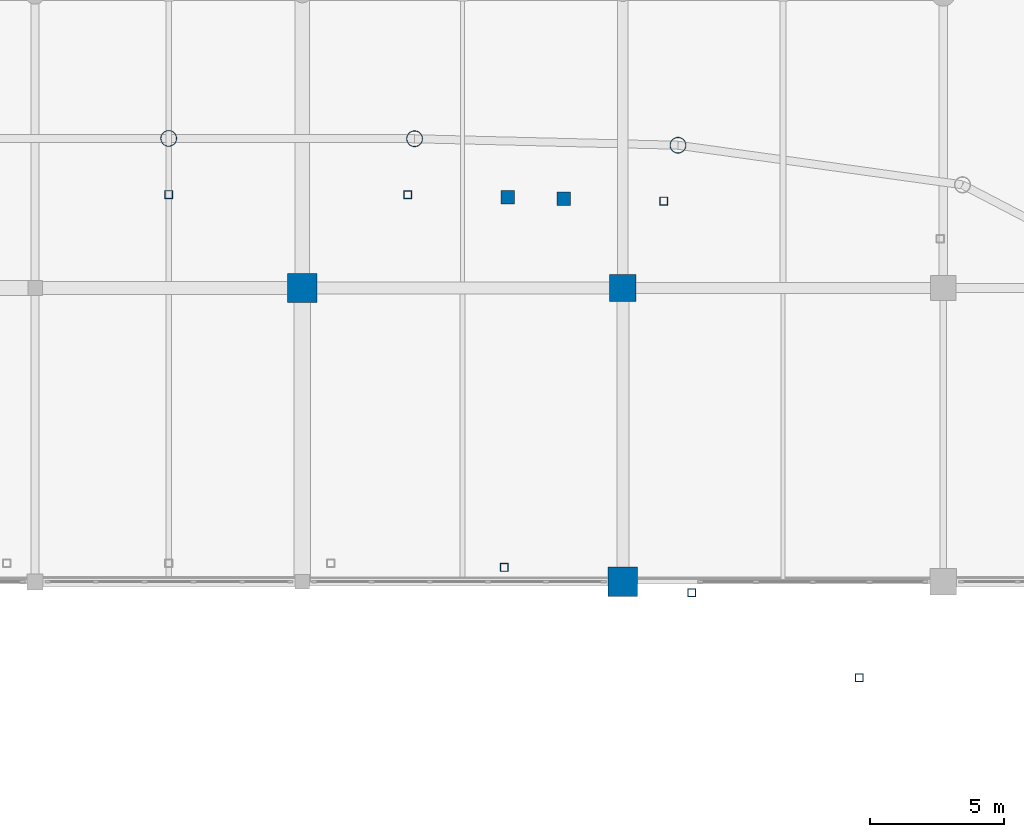
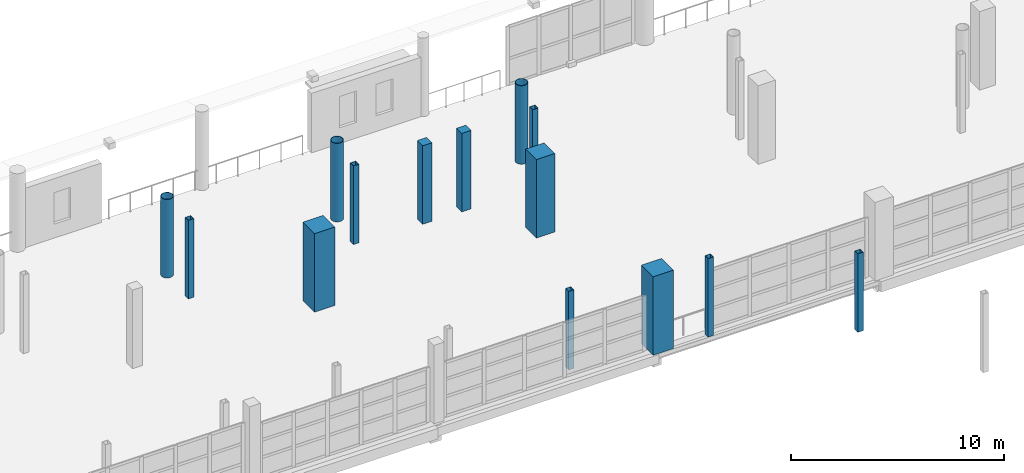
# One storey, part 13 of 118: 14 columns.
"""IFC4 building model written with IfcOpenShell, lengths in metres."""

from ifc_helpers import new_model, si_unit, direction, frame, origin, origin_2d, place, context, subcontext, project, spatial, rectangle, hollow_rectangle, hollow_circle, extrude, material, material_profile, profile_set, type_object, element, save


model = new_model("IFC4")

# Units and contexts
model_context = context("Model", 3, precision=1e-05, world=origin(), true_north=direction((0.0, 1.0)))
body_context = subcontext(model_context, "Body", "Model", "MODEL_VIEW")
ifc_project = project(units=[si_unit("LENGTHUNIT", "METRE"), si_unit("AREAUNIT", "SQUARE_METRE"), si_unit("VOLUMEUNIT", "CUBIC_METRE"), si_unit("PLANEANGLEUNIT", "RADIAN"), si_unit("MASSUNIT", "GRAM", prefix="KILO")], contexts=[model_context])

# Site, building, storey
site_placement = place(None, origin())
site = spatial("IfcSite", under=ifc_project, at=site_placement, CompositionType="ELEMENT")
building_placement = place(site_placement, origin())
building = spatial("IfcBuilding", under=site, at=building_placement, Name="Luwafu Chhajja Arena", CompositionType="ELEMENT")
storey_placement = place(building_placement, frame((0.0, 0.0, 10.199951171875)))
storey = spatial("IfcBuildingStorey", under=building, at=storey_placement, Name="L02", CompositionType="ELEMENT", Elevation=10.199951171875)

# Columns
ifc_material_1 = material(Name="Concrete C40/50", Category="concrete")
ifc_material_profile_1 = material_profile(ifc_material_1, rectangle(XDim=1.0, YDim=1.0, at=origin_2d()), Name="RC 1000x1000")
ifc_profile_set_1 = profile_set([ifc_material_profile_1], Name="Concrete C40/50")
column_type_1 = type_object("IfcColumnType", Name="Bowl Primary Column RC 1000", PredefinedType="COLUMN", material=ifc_profile_set_1)
column_placement = place(storey_placement, frame((116.0, 88.0, 0.0), z_axis=(0.0, 0.0, 1.0), x_axis=(1.0, 0.0, 0.0)))
element("IfcColumn", 1, at=column_placement, inside=storey, type_object=column_type_1, Name="L02 Grid Column 11/J", PredefinedType="COLUMN", context=body_context, shape_type="SweptSolid", body=[
    extrude(rectangle(XDim=1.0, YDim=1.0, at=origin_2d()), origin(), (0.0, 0.0, 1.0), 4.5),
])
ifc_material_profile_2 = material_profile(ifc_material_1, rectangle(XDim=1.10009765625, YDim=1.10009765625, at=origin_2d()), Name="RC 1100x1100")
ifc_profile_set_2 = profile_set([ifc_material_profile_2], Name="Concrete C40/50")
column_type_2 = type_object("IfcColumnType", Name="Bowl Rim Mega Column RC 1100", PredefinedType="COLUMN", material=ifc_profile_set_2)
for number, where, z_axis, x_axis, name in (
    (2, (104.0, 88.0, 0.0), (0.0, 0.0, 1.0), (1.0, 0.0, 0.0), "L02 Grid Column 10/J"),
    (3, (116.0, 77.0, 0.0), (0.0, 0.0, 1.0), (1.0, 0.0, 0.0), "L02 Grid Column 11/H"),
):
    element("IfcColumn", number, at=place(storey_placement, frame(where, z_axis=z_axis, x_axis=x_axis)), inside=storey, type_object=column_type_2, Name=name, PredefinedType="COLUMN", context=body_context, shape_type="SweptSolid", body=[
        extrude(rectangle(XDim=1.10009765625, YDim=1.10009765625, at=origin_2d()), origin(), (0.0, 0.0, 1.0), 4.5),
    ])
ifc_material_2 = material(Name="Concrete C35/45", Category="concrete")
ifc_material_profile_3 = material_profile(ifc_material_2, rectangle(XDim=0.5, YDim=0.5, at=origin_2d()), Name="RC 500x500")
ifc_profile_set_3 = profile_set([ifc_material_profile_3], Name="Concrete C35/45")
column_type_3 = type_object("IfcColumnType", Name="Pavilion Column RC 500", PredefinedType="COLUMN", material=ifc_profile_set_3)
for number, where, z_axis, x_axis, name in (
    (4, (113.789794921875, 91.347412109375, 0.0), (0.0, 0.0, 1.0), (1.0, 0.0, 0.0), "L02 Vomitory Stack Column VU07A"),
    (5, (111.6904296875, 91.398193359375, 0.0), (0.0, 0.0, 1.0), (1.0, 0.0, 0.0), "L02 Vomitory Stack Column VU07B"),
):
    element("IfcColumn", number, at=place(storey_placement, frame(where, z_axis=z_axis, x_axis=x_axis)), inside=storey, type_object=column_type_3, Name=name, PredefinedType="COLUMN", context=body_context, shape_type="SweptSolid", body=[
        extrude(rectangle(XDim=0.5, YDim=0.5, at=origin_2d()), origin(), (0.0, 0.0, 1.0), 4.5),
    ])
ifc_material_3 = material(Name="Steel S355", Category="steel")
ifc_material_profile_4 = material_profile(ifc_material_3, hollow_circle(Radius=0.304931640625, WallThickness=0.02490234375, at=origin_2d()), Name="CHS 610x25")
ifc_profile_set_4 = profile_set([ifc_material_profile_4], Name="Steel S355")
column_type_4 = type_object("IfcColumnType", Name="Steel Bowl Drum Column CHS 610", PredefinedType="COLUMN", material=ifc_profile_set_4)
for number, where, z_axis, x_axis, name in (
    (6, (118.067138671875, 93.3447265625, 0.0), (0.0, 0.0, 1.0), (1.0, 0.0, 0.0), "L02 Bowl Drum Column D07"),
    (7, (108.207275390625, 93.588134765625, 0.0), (0.0, 0.0, 1.0), (1.0, 0.0, 0.0), "L02 Bowl Drum Column D08"),
    (8, (99.0, 93.60009765625, 0.0), (0.0, 0.0, 1.0), (1.0, 0.0, 0.0), "L02 Bowl Drum Column D09"),
):
    element("IfcColumn", number, at=place(storey_placement, frame(where, z_axis=z_axis, x_axis=x_axis)), inside=storey, type_object=column_type_4, Name=name, PredefinedType="COLUMN", context=body_context, shape_type="SweptSolid", body=[
        extrude(hollow_circle(Radius=0.304931640625, WallThickness=0.02490234375, at=origin_2d()), origin(), (0.0, 0.0, 1.0), 4.5),
    ])
ifc_material_profile_5 = material_profile(ifc_material_3, hollow_rectangle(XDim=0.300048828125, YDim=0.300048828125, WallThickness=0.01611328125, at=origin_2d()), Name="SHS 300x300x16")
ifc_profile_set_5 = profile_set([ifc_material_profile_5], Name="Steel S355")
column_type_5 = type_object("IfcColumnType", Name="Steel Gallery Post SHS 300", PredefinedType="COLUMN", material=ifc_profile_set_5)
for number, where, z_axis, x_axis, name in (
    (9, (124.85986328125, 73.409912109375, 0.0), (0.0, 0.0, 1.0), (1.0, 0.0, 0.0), "L02 Upper Bowl Raker Column UI05"),
    (10, (118.57666015625, 76.589111328125, 0.0), (0.0, 0.0, 1.0), (1.0, 0.0, 0.0), "L02 Upper Bowl Raker Column UI06"),
    (11, (111.560302734375, 77.536865234375, 0.0), (0.0, 0.0, 1.0), (1.0, 0.0, 0.0), "L02 Upper Bowl Raker Column UI07"),
    (12, (117.53173828125, 91.2568359375, 0.0), (0.0, 0.0, 1.0), (1.0, 0.0, 0.0), "L02 Upper Bowl Raker Column UO07"),
    (13, (107.948486328125, 91.48876953125, 0.0), (0.0, 0.0, 1.0), (1.0, 0.0, 0.0), "L02 Upper Bowl Raker Column UO08"),
    (14, (99.0, 91.5, 0.0), (0.0, 0.0, 1.0), (1.0, 0.0, 0.0), "L02 Upper Bowl Raker Column UO09"),
):
    element("IfcColumn", number, at=place(storey_placement, frame(where, z_axis=z_axis, x_axis=x_axis)), inside=storey, type_object=column_type_5, Name=name, PredefinedType="COLUMN", context=body_context, shape_type="SweptSolid", body=[
        extrude(hollow_rectangle(XDim=0.300048828125, YDim=0.300048828125, WallThickness=0.01611328125, at=origin_2d()), origin(), (0.0, 0.0, 1.0), 4.5),
    ])

save(model, "model.ifc")
